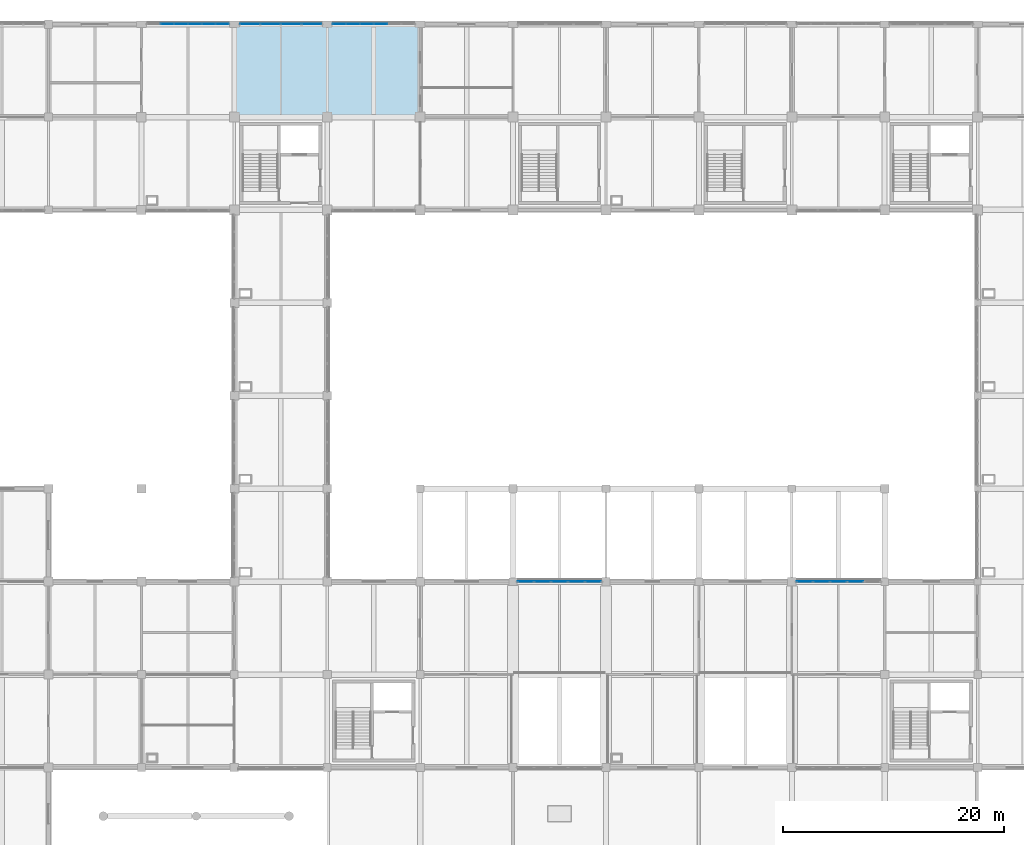
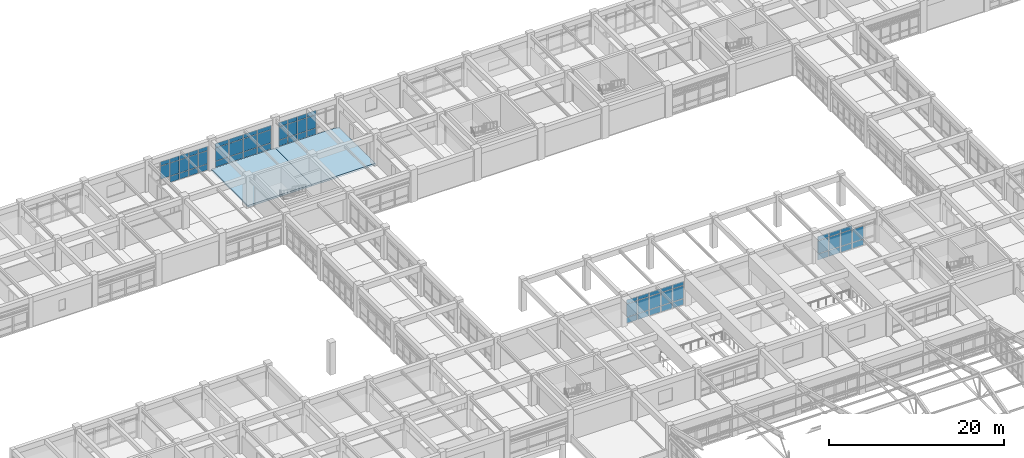
# One storey, part 68 of 99: 64 plates, 2 slabs, 5 elements without a shape of their own.
"""IFC4 building model written with IfcOpenShell, lengths in metres."""

from ifc_helpers import new_model, si_unit, direction, frame, origin, origin_2d, place, context, subcontext, project, spatial, polyline, rectangle, outline, extrude, material, layer, layer_set, type_object, element, aggregate, save


model = new_model("IFC4")

# Units and contexts
model_context = context("Model", 3, precision=1e-05, world=origin(), true_north=direction((0.0, 1.0)))
body_context = subcontext(model_context, "Body", "Model", "MODEL_VIEW")
ifc_project = project(units=[si_unit("LENGTHUNIT", "METRE"), si_unit("AREAUNIT", "SQUARE_METRE"), si_unit("VOLUMEUNIT", "CUBIC_METRE"), si_unit("PLANEANGLEUNIT", "RADIAN"), si_unit("MASSUNIT", "GRAM", prefix="KILO")], contexts=[model_context])

# Site, building, storey
site_placement = place(None, origin())
site = spatial("IfcSite", under=ifc_project, at=site_placement, CompositionType="ELEMENT")
building_placement = place(site_placement, origin())
building = spatial("IfcBuilding", under=site, at=building_placement, Name="Porcellanite Civic Hall", CompositionType="ELEMENT")
storey_placement = place(building_placement, frame((0.0, 0.0, 5.760009765625)))
storey = spatial("IfcBuildingStorey", under=building, at=storey_placement, Name="L01", CompositionType="ELEMENT", Elevation=5.760009765625)

# Curtain wall, plates
ifc_material_1 = material(Name="Anodised aluminium and solar laminated glass", Category="aluminium")
ifc_layer_1 = layer(ifc_material_1, 0.179931640625)
ifc_layer_set_1 = layer_set([ifc_layer_1], Name="Anodised aluminium and solar laminated glass")
curtain_wall_type_1 = type_object("IfcCurtainWallType", Name="CW-SYS01", PredefinedType="NOTDEFINED", material=ifc_layer_set_1)
curtain_wall_1_placement = place(storey_placement, origin())
curtain_wall_1 = element("IfcCurtainWall", 1, at=curtain_wall_1_placement, inside=storey, type_object=curtain_wall_type_1, Name="Curtain wall CW-093", PredefinedType="NOTDEFINED")
ifc_material_2 = material(Name="Cyclone laminated solar-control low-E glass", Category="glass")
ifc_layer_2 = layer(ifc_material_2, 0.02392578125)
ifc_layer_set_2 = layer_set([ifc_layer_2], Name="Cyclone laminated solar-control low-E glass")
plate_type_1 = type_object("IfcPlateType", Name="CWP-01", PredefinedType="CURTAIN_PANEL", material=ifc_layer_set_2)
plate_1_placement = place(storey_placement, frame((76.73828125, 67.199951171875, 0.070068359375), z_axis=(0.0, 0.0, 1.0), x_axis=(1.0, 0.0, 0.0)))
plate_1 = element("IfcPlate", 2, at=plate_1_placement, type_object=plate_type_1, Name="CW-093 panel 1.1", PredefinedType="CURTAIN_PANEL", context=body_context, shape_type="SweptSolid", body=[
    extrude(rectangle(XDim=1.41455078125, YDim=0.02392578125, at=origin_2d()), origin(), (0.0, 0.0, 1.0), 0.794921875),
])
plate_2_placement = place(storey_placement, frame((76.73828125, 67.199951171875, 0.93505859375), z_axis=(0.0, 0.0, 1.0), x_axis=(1.0, 0.0, 0.0)))
plate_2 = element("IfcPlate", 3, at=plate_2_placement, type_object=plate_type_1, Name="CW-093 panel 1.2", PredefinedType="CURTAIN_PANEL", context=body_context, shape_type="SweptSolid", body=[
    extrude(rectangle(XDim=1.41455078125, YDim=0.02392578125, at=origin_2d()), origin(), (0.0, 0.0, 1.0), 1.780029296875),
])
plate_3_placement = place(storey_placement, frame((76.73828125, 67.199951171875, 2.784912109375), z_axis=(0.0, 0.0, 1.0), x_axis=(1.0, 0.0, 0.0)))
plate_3 = element("IfcPlate", 4, at=plate_3_placement, type_object=plate_type_1, Name="CW-093 panel 1.3", PredefinedType="CURTAIN_PANEL", context=body_context, shape_type="SweptSolid", body=[
    extrude(rectangle(XDim=1.41455078125, YDim=0.02392578125, at=origin_2d()), origin(), (0.0, 0.0, 1.0), 0.544921875),
])
plate_4_placement = place(storey_placement, frame((78.2529296875, 67.199951171875, 0.070068359375), z_axis=(0.0, 0.0, 1.0), x_axis=(1.0, 0.0, 0.0)))
plate_4 = element("IfcPlate", 5, at=plate_4_placement, type_object=plate_type_1, Name="CW-093 panel 2.1", PredefinedType="CURTAIN_PANEL", context=body_context, shape_type="SweptSolid", body=[
    extrude(rectangle(XDim=1.45458984375, YDim=0.02392578125, at=origin_2d()), origin(), (0.0, 0.0, 1.0), 0.794921875),
])
plate_5_placement = place(storey_placement, frame((78.2529296875, 67.199951171875, 0.93505859375), z_axis=(0.0, 0.0, 1.0), x_axis=(1.0, 0.0, 0.0)))
plate_5 = element("IfcPlate", 6, at=plate_5_placement, type_object=plate_type_1, Name="CW-093 panel 2.2", PredefinedType="CURTAIN_PANEL", context=body_context, shape_type="SweptSolid", body=[
    extrude(rectangle(XDim=1.45458984375, YDim=0.02392578125, at=origin_2d()), origin(), (0.0, 0.0, 1.0), 1.780029296875),
])
plate_6_placement = place(storey_placement, frame((78.2529296875, 67.199951171875, 2.784912109375), z_axis=(0.0, 0.0, 1.0), x_axis=(1.0, 0.0, 0.0)))
plate_6 = element("IfcPlate", 7, at=plate_6_placement, type_object=plate_type_1, Name="CW-093 panel 2.3", PredefinedType="CURTAIN_PANEL", context=body_context, shape_type="SweptSolid", body=[
    extrude(rectangle(XDim=1.45458984375, YDim=0.02392578125, at=origin_2d()), origin(), (0.0, 0.0, 1.0), 0.544921875),
])
plate_7_placement = place(storey_placement, frame((79.78759765625, 67.199951171875, 0.070068359375), z_axis=(0.0, 0.0, 1.0), x_axis=(1.0, 0.0, 0.0)))
plate_7 = element("IfcPlate", 8, at=plate_7_placement, type_object=plate_type_1, Name="CW-093 panel 3.1", PredefinedType="CURTAIN_PANEL", context=body_context, shape_type="SweptSolid", body=[
    extrude(rectangle(XDim=1.45458984375, YDim=0.02392578125, at=origin_2d()), origin(), (0.0, 0.0, 1.0), 0.794921875),
])
plate_8_placement = place(storey_placement, frame((79.78759765625, 67.199951171875, 0.93505859375), z_axis=(0.0, 0.0, 1.0), x_axis=(1.0, 0.0, 0.0)))
plate_8 = element("IfcPlate", 9, at=plate_8_placement, type_object=plate_type_1, Name="CW-093 panel 3.2", PredefinedType="CURTAIN_PANEL", context=body_context, shape_type="SweptSolid", body=[
    extrude(rectangle(XDim=1.45458984375, YDim=0.02392578125, at=origin_2d()), origin(), (0.0, 0.0, 1.0), 1.780029296875),
])
plate_9_placement = place(storey_placement, frame((79.78759765625, 67.199951171875, 2.784912109375), z_axis=(0.0, 0.0, 1.0), x_axis=(1.0, 0.0, 0.0)))
plate_9 = element("IfcPlate", 10, at=plate_9_placement, type_object=plate_type_1, Name="CW-093 panel 3.3", PredefinedType="CURTAIN_PANEL", context=body_context, shape_type="SweptSolid", body=[
    extrude(rectangle(XDim=1.45458984375, YDim=0.02392578125, at=origin_2d()), origin(), (0.0, 0.0, 1.0), 0.544921875),
])
plate_10_placement = place(storey_placement, frame((81.322021484375, 67.199951171875, 0.070068359375), z_axis=(0.0, 0.0, 1.0), x_axis=(1.0, 0.0, 0.0)))
plate_10 = element("IfcPlate", 11, at=plate_10_placement, type_object=plate_type_1, Name="CW-093 panel 4.1", PredefinedType="CURTAIN_PANEL", context=body_context, shape_type="SweptSolid", body=[
    extrude(rectangle(XDim=1.45458984375, YDim=0.02392578125, at=origin_2d()), origin(), (0.0, 0.0, 1.0), 0.794921875),
])
plate_11_placement = place(storey_placement, frame((81.322021484375, 67.199951171875, 0.93505859375), z_axis=(0.0, 0.0, 1.0), x_axis=(1.0, 0.0, 0.0)))
plate_11 = element("IfcPlate", 12, at=plate_11_placement, type_object=plate_type_1, Name="CW-093 panel 4.2", PredefinedType="CURTAIN_PANEL", context=body_context, shape_type="SweptSolid", body=[
    extrude(rectangle(XDim=1.45458984375, YDim=0.02392578125, at=origin_2d()), origin(), (0.0, 0.0, 1.0), 1.780029296875),
])
plate_12_placement = place(storey_placement, frame((81.322021484375, 67.199951171875, 2.784912109375), z_axis=(0.0, 0.0, 1.0), x_axis=(1.0, 0.0, 0.0)))
plate_12 = element("IfcPlate", 13, at=plate_12_placement, type_object=plate_type_1, Name="CW-093 panel 4.3", PredefinedType="CURTAIN_PANEL", context=body_context, shape_type="SweptSolid", body=[
    extrude(rectangle(XDim=1.45458984375, YDim=0.02392578125, at=origin_2d()), origin(), (0.0, 0.0, 1.0), 0.544921875),
])
plate_13_placement = place(storey_placement, frame((82.836669921875, 67.199951171875, 0.070068359375), z_axis=(0.0, 0.0, 1.0), x_axis=(1.0, 0.0, 0.0)))
plate_13 = element("IfcPlate", 14, at=plate_13_placement, type_object=plate_type_1, Name="CW-093 panel 5.1", PredefinedType="CURTAIN_PANEL", context=body_context, shape_type="SweptSolid", body=[
    extrude(rectangle(XDim=1.41455078125, YDim=0.02392578125, at=origin_2d()), origin(), (0.0, 0.0, 1.0), 0.794921875),
])
plate_14_placement = place(storey_placement, frame((82.836669921875, 67.199951171875, 0.93505859375), z_axis=(0.0, 0.0, 1.0), x_axis=(1.0, 0.0, 0.0)))
plate_14 = element("IfcPlate", 15, at=plate_14_placement, type_object=plate_type_1, Name="CW-093 panel 5.2", PredefinedType="CURTAIN_PANEL", context=body_context, shape_type="SweptSolid", body=[
    extrude(rectangle(XDim=1.41455078125, YDim=0.02392578125, at=origin_2d()), origin(), (0.0, 0.0, 1.0), 1.780029296875),
])
plate_15_placement = place(storey_placement, frame((82.836669921875, 67.199951171875, 2.784912109375), z_axis=(0.0, 0.0, 1.0), x_axis=(1.0, 0.0, 0.0)))
plate_15 = element("IfcPlate", 16, at=plate_15_placement, type_object=plate_type_1, Name="CW-093 panel 5.3", PredefinedType="CURTAIN_PANEL", context=body_context, shape_type="SweptSolid", body=[
    extrude(rectangle(XDim=1.41455078125, YDim=0.02392578125, at=origin_2d()), origin(), (0.0, 0.0, 1.0), 0.544921875),
])
aggregate(curtain_wall_1, [plate_1, plate_2, plate_3, plate_4, plate_5, plate_6, plate_7, plate_8, plate_9, plate_10, plate_11, plate_12, plate_13, plate_14, plate_15])

curtain_wall_2_placement = place(storey_placement, origin())
curtain_wall_2 = element("IfcCurtainWall", 17, at=curtain_wall_2_placement, inside=storey, type_object=curtain_wall_type_1, Name="Curtain wall CW-103", PredefinedType="NOTDEFINED")
plate_16_placement = place(storey_placement, frame((101.96337890625, 67.199951171875, 0.070068359375), z_axis=(0.0, 0.0, 1.0), x_axis=(1.0, 0.0, 0.0)))
plate_16 = element("IfcPlate", 18, at=plate_16_placement, type_object=plate_type_1, Name="CW-103 panel 1.1", PredefinedType="CURTAIN_PANEL", context=body_context, shape_type="SweptSolid", body=[
    extrude(rectangle(XDim=1.41455078125, YDim=0.02392578125, at=origin_2d()), origin(), (0.0, 0.0, 1.0), 0.794921875),
])
plate_17_placement = place(storey_placement, frame((101.96337890625, 67.199951171875, 0.93505859375), z_axis=(0.0, 0.0, 1.0), x_axis=(1.0, 0.0, 0.0)))
plate_17 = element("IfcPlate", 19, at=plate_17_placement, type_object=plate_type_1, Name="CW-103 panel 1.2", PredefinedType="CURTAIN_PANEL", context=body_context, shape_type="SweptSolid", body=[
    extrude(rectangle(XDim=1.41455078125, YDim=0.02392578125, at=origin_2d()), origin(), (0.0, 0.0, 1.0), 1.780029296875),
])
plate_18_placement = place(storey_placement, frame((101.96337890625, 67.199951171875, 2.784912109375), z_axis=(0.0, 0.0, 1.0), x_axis=(1.0, 0.0, 0.0)))
plate_18 = element("IfcPlate", 20, at=plate_18_placement, type_object=plate_type_1, Name="CW-103 panel 1.3", PredefinedType="CURTAIN_PANEL", context=body_context, shape_type="SweptSolid", body=[
    extrude(rectangle(XDim=1.41455078125, YDim=0.02392578125, at=origin_2d()), origin(), (0.0, 0.0, 1.0), 0.544921875),
])
plate_19_placement = place(storey_placement, frame((103.477783203125, 67.199951171875, 0.070068359375), z_axis=(0.0, 0.0, 1.0), x_axis=(1.0, 0.0, 0.0)))
plate_19 = element("IfcPlate", 21, at=plate_19_placement, type_object=plate_type_1, Name="CW-103 panel 2.1", PredefinedType="CURTAIN_PANEL", context=body_context, shape_type="SweptSolid", body=[
    extrude(rectangle(XDim=1.45458984375, YDim=0.02392578125, at=origin_2d()), origin(), (0.0, 0.0, 1.0), 0.794921875),
])
plate_20_placement = place(storey_placement, frame((103.477783203125, 67.199951171875, 0.93505859375), z_axis=(0.0, 0.0, 1.0), x_axis=(1.0, 0.0, 0.0)))
plate_20 = element("IfcPlate", 22, at=plate_20_placement, type_object=plate_type_1, Name="CW-103 panel 2.2", PredefinedType="CURTAIN_PANEL", context=body_context, shape_type="SweptSolid", body=[
    extrude(rectangle(XDim=1.45458984375, YDim=0.02392578125, at=origin_2d()), origin(), (0.0, 0.0, 1.0), 1.780029296875),
])
plate_21_placement = place(storey_placement, frame((103.477783203125, 67.199951171875, 2.784912109375), z_axis=(0.0, 0.0, 1.0), x_axis=(1.0, 0.0, 0.0)))
plate_21 = element("IfcPlate", 23, at=plate_21_placement, type_object=plate_type_1, Name="CW-103 panel 2.3", PredefinedType="CURTAIN_PANEL", context=body_context, shape_type="SweptSolid", body=[
    extrude(rectangle(XDim=1.45458984375, YDim=0.02392578125, at=origin_2d()), origin(), (0.0, 0.0, 1.0), 0.544921875),
])
plate_22_placement = place(storey_placement, frame((105.012451171875, 67.199951171875, 0.070068359375), z_axis=(0.0, 0.0, 1.0), x_axis=(1.0, 0.0, 0.0)))
plate_22 = element("IfcPlate", 24, at=plate_22_placement, type_object=plate_type_1, Name="CW-103 panel 3.1", PredefinedType="CURTAIN_PANEL", context=body_context, shape_type="SweptSolid", body=[
    extrude(rectangle(XDim=1.45458984375, YDim=0.02392578125, at=origin_2d()), origin(), (0.0, 0.0, 1.0), 0.794921875),
])
plate_23_placement = place(storey_placement, frame((105.012451171875, 67.199951171875, 0.93505859375), z_axis=(0.0, 0.0, 1.0), x_axis=(1.0, 0.0, 0.0)))
plate_23 = element("IfcPlate", 25, at=plate_23_placement, type_object=plate_type_1, Name="CW-103 panel 3.2", PredefinedType="CURTAIN_PANEL", context=body_context, shape_type="SweptSolid", body=[
    extrude(rectangle(XDim=1.45458984375, YDim=0.02392578125, at=origin_2d()), origin(), (0.0, 0.0, 1.0), 1.780029296875),
])
plate_24_placement = place(storey_placement, frame((105.012451171875, 67.199951171875, 2.784912109375), z_axis=(0.0, 0.0, 1.0), x_axis=(1.0, 0.0, 0.0)))
plate_24 = element("IfcPlate", 26, at=plate_24_placement, type_object=plate_type_1, Name="CW-103 panel 3.3", PredefinedType="CURTAIN_PANEL", context=body_context, shape_type="SweptSolid", body=[
    extrude(rectangle(XDim=1.45458984375, YDim=0.02392578125, at=origin_2d()), origin(), (0.0, 0.0, 1.0), 0.544921875),
])
plate_25_placement = place(storey_placement, frame((106.547119140625, 67.199951171875, 0.070068359375), z_axis=(0.0, 0.0, 1.0), x_axis=(1.0, 0.0, 0.0)))
plate_25 = element("IfcPlate", 27, at=plate_25_placement, type_object=plate_type_1, Name="CW-103 panel 4.1", PredefinedType="CURTAIN_PANEL", context=body_context, shape_type="SweptSolid", body=[
    extrude(rectangle(XDim=1.45458984375, YDim=0.02392578125, at=origin_2d()), origin(), (0.0, 0.0, 1.0), 0.794921875),
])
plate_26_placement = place(storey_placement, frame((106.547119140625, 67.199951171875, 0.93505859375), z_axis=(0.0, 0.0, 1.0), x_axis=(1.0, 0.0, 0.0)))
plate_26 = element("IfcPlate", 28, at=plate_26_placement, type_object=plate_type_1, Name="CW-103 panel 4.2", PredefinedType="CURTAIN_PANEL", context=body_context, shape_type="SweptSolid", body=[
    extrude(rectangle(XDim=1.45458984375, YDim=0.02392578125, at=origin_2d()), origin(), (0.0, 0.0, 1.0), 1.780029296875),
])
aggregate(curtain_wall_2, [plate_16, plate_17, plate_18, plate_19, plate_20, plate_21, plate_22, plate_23, plate_24, plate_25, plate_26])

ifc_material_3 = material(Name="Anodised aluminium and solar laminated glass", Category="aluminium")
ifc_layer_3 = layer(ifc_material_3, 0.179931640625)
ifc_layer_set_3 = layer_set([ifc_layer_3], Name="Anodised aluminium and solar laminated glass")
curtain_wall_type_2 = type_object("IfcCurtainWallType", Name="CW-SYS07", PredefinedType="NOTDEFINED", material=ifc_layer_set_3)
curtain_wall_3_placement = place(storey_placement, origin())
curtain_wall_3 = element("IfcCurtainWall", 29, at=curtain_wall_3_placement, inside=storey, type_object=curtain_wall_type_2, Name="Curtain wall CW-075", PredefinedType="NOTDEFINED")
ifc_material_4 = material(Name="Cyclone laminated solar-control low-E glass", Category="glass")
ifc_layer_4 = layer(ifc_material_4, 0.033935546875)
ifc_layer_set_4 = layer_set([ifc_layer_4], Name="Cyclone laminated solar-control low-E glass")
plate_type_2 = type_object("IfcPlateType", Name="CWP-06", PredefinedType="CURTAIN_PANEL", material=ifc_layer_set_4)
plate_27_placement = place(storey_placement, frame((44.325439453125, 117.60009765625, 0.9248046875), z_axis=(0.0, 0.0, 1.0), x_axis=(1.0, 0.0, 0.0)))
plate_27 = element("IfcPlate", 30, at=plate_27_placement, type_object=plate_type_2, Name="CW-075 panel 2.2", PredefinedType="CURTAIN_PANEL", context=body_context, shape_type="SweptSolid", body=[
    extrude(rectangle(XDim=1.189697265625, YDim=0.033935546875, at=origin_2d()), origin(), (0.0, 0.0, 1.0), 1.800048828125),
])
plate_28_placement = place(storey_placement, frame((44.325439453125, 117.60009765625, 2.77490234375), z_axis=(0.0, 0.0, 1.0), x_axis=(1.0, 0.0, 0.0)))
plate_28 = element("IfcPlate", 31, at=plate_28_placement, type_object=plate_type_2, Name="CW-075 panel 2.3", PredefinedType="CURTAIN_PANEL", context=body_context, shape_type="SweptSolid", body=[
    extrude(rectangle(XDim=1.189697265625, YDim=0.033935546875, at=origin_2d()), origin(), (0.0, 0.0, 1.0), 0.574951171875),
])
plate_29_placement = place(storey_placement, frame((45.5751953125, 117.60009765625, 0.0498046875), z_axis=(0.0, 0.0, 1.0), x_axis=(1.0, 0.0, 0.0)))
plate_29 = element("IfcPlate", 32, at=plate_29_placement, type_object=plate_type_2, Name="CW-075 panel 3.1", PredefinedType="CURTAIN_PANEL", context=body_context, shape_type="SweptSolid", body=[
    extrude(rectangle(XDim=1.189697265625, YDim=0.033935546875, at=origin_2d()), origin(), (0.0, 0.0, 1.0), 0.824951171875),
])
plate_30_placement = place(storey_placement, frame((45.5751953125, 117.60009765625, 0.9248046875), z_axis=(0.0, 0.0, 1.0), x_axis=(1.0, 0.0, 0.0)))
plate_30 = element("IfcPlate", 33, at=plate_30_placement, type_object=plate_type_2, Name="CW-075 panel 3.2", PredefinedType="CURTAIN_PANEL", context=body_context, shape_type="SweptSolid", body=[
    extrude(rectangle(XDim=1.189697265625, YDim=0.033935546875, at=origin_2d()), origin(), (0.0, 0.0, 1.0), 1.800048828125),
])
plate_31_placement = place(storey_placement, frame((45.5751953125, 117.60009765625, 2.77490234375), z_axis=(0.0, 0.0, 1.0), x_axis=(1.0, 0.0, 0.0)))
plate_31 = element("IfcPlate", 34, at=plate_31_placement, type_object=plate_type_2, Name="CW-075 panel 3.3", PredefinedType="CURTAIN_PANEL", context=body_context, shape_type="SweptSolid", body=[
    extrude(rectangle(XDim=1.189697265625, YDim=0.033935546875, at=origin_2d()), origin(), (0.0, 0.0, 1.0), 0.574951171875),
])
plate_32_placement = place(storey_placement, frame((46.824951171875, 117.60009765625, 0.0498046875), z_axis=(0.0, 0.0, 1.0), x_axis=(1.0, 0.0, 0.0)))
plate_32 = element("IfcPlate", 35, at=plate_32_placement, type_object=plate_type_2, Name="CW-075 panel 4.1", PredefinedType="CURTAIN_PANEL", context=body_context, shape_type="SweptSolid", body=[
    extrude(rectangle(XDim=1.189697265625, YDim=0.033935546875, at=origin_2d()), origin(), (0.0, 0.0, 1.0), 0.824951171875),
])
plate_33_placement = place(storey_placement, frame((46.824951171875, 117.60009765625, 0.9248046875), z_axis=(0.0, 0.0, 1.0), x_axis=(1.0, 0.0, 0.0)))
plate_33 = element("IfcPlate", 36, at=plate_33_placement, type_object=plate_type_2, Name="CW-075 panel 4.2", PredefinedType="CURTAIN_PANEL", context=body_context, shape_type="SweptSolid", body=[
    extrude(rectangle(XDim=1.189697265625, YDim=0.033935546875, at=origin_2d()), origin(), (0.0, 0.0, 1.0), 1.800048828125),
])
plate_34_placement = place(storey_placement, frame((46.824951171875, 117.60009765625, 2.77490234375), z_axis=(0.0, 0.0, 1.0), x_axis=(1.0, 0.0, 0.0)))
plate_34 = element("IfcPlate", 37, at=plate_34_placement, type_object=plate_type_2, Name="CW-075 panel 4.3", PredefinedType="CURTAIN_PANEL", context=body_context, shape_type="SweptSolid", body=[
    extrude(rectangle(XDim=1.189697265625, YDim=0.033935546875, at=origin_2d()), origin(), (0.0, 0.0, 1.0), 0.574951171875),
])
plate_35_placement = place(storey_placement, frame((48.074462890625, 117.60009765625, 0.0498046875), z_axis=(0.0, 0.0, 1.0), x_axis=(1.0, 0.0, 0.0)))
plate_35 = element("IfcPlate", 38, at=plate_35_placement, type_object=plate_type_2, Name="CW-075 panel 5.1", PredefinedType="CURTAIN_PANEL", context=body_context, shape_type="SweptSolid", body=[
    extrude(rectangle(XDim=1.189697265625, YDim=0.033935546875, at=origin_2d()), origin(), (0.0, 0.0, 1.0), 0.824951171875),
])
plate_36_placement = place(storey_placement, frame((48.074462890625, 117.60009765625, 0.9248046875), z_axis=(0.0, 0.0, 1.0), x_axis=(1.0, 0.0, 0.0)))
plate_36 = element("IfcPlate", 39, at=plate_36_placement, type_object=plate_type_2, Name="CW-075 panel 5.2", PredefinedType="CURTAIN_PANEL", context=body_context, shape_type="SweptSolid", body=[
    extrude(rectangle(XDim=1.189697265625, YDim=0.033935546875, at=origin_2d()), origin(), (0.0, 0.0, 1.0), 1.800048828125),
])
plate_37_placement = place(storey_placement, frame((48.074462890625, 117.60009765625, 2.77490234375), z_axis=(0.0, 0.0, 1.0), x_axis=(1.0, 0.0, 0.0)))
plate_37 = element("IfcPlate", 40, at=plate_37_placement, type_object=plate_type_2, Name="CW-075 panel 5.3", PredefinedType="CURTAIN_PANEL", context=body_context, shape_type="SweptSolid", body=[
    extrude(rectangle(XDim=1.189697265625, YDim=0.033935546875, at=origin_2d()), origin(), (0.0, 0.0, 1.0), 0.574951171875),
])
plate_38_placement = place(storey_placement, frame((49.30908203125, 117.60009765625, 0.0498046875), z_axis=(0.0, 0.0, 1.0), x_axis=(1.0, 0.0, 0.0)))
plate_38 = element("IfcPlate", 41, at=plate_38_placement, type_object=plate_type_2, Name="CW-075 panel 6.1", PredefinedType="CURTAIN_PANEL", context=body_context, shape_type="SweptSolid", body=[
    extrude(rectangle(XDim=1.15966796875, YDim=0.033935546875, at=origin_2d()), origin(), (0.0, 0.0, 1.0), 0.824951171875),
])
plate_39_placement = place(storey_placement, frame((49.30908203125, 117.60009765625, 0.9248046875), z_axis=(0.0, 0.0, 1.0), x_axis=(1.0, 0.0, 0.0)))
plate_39 = element("IfcPlate", 42, at=plate_39_placement, type_object=plate_type_2, Name="CW-075 panel 6.2", PredefinedType="CURTAIN_PANEL", context=body_context, shape_type="SweptSolid", body=[
    extrude(rectangle(XDim=1.15966796875, YDim=0.033935546875, at=origin_2d()), origin(), (0.0, 0.0, 1.0), 1.800048828125),
])
plate_40_placement = place(storey_placement, frame((49.30908203125, 117.60009765625, 2.77490234375), z_axis=(0.0, 0.0, 1.0), x_axis=(1.0, 0.0, 0.0)))
plate_40 = element("IfcPlate", 43, at=plate_40_placement, type_object=plate_type_2, Name="CW-075 panel 6.3", PredefinedType="CURTAIN_PANEL", context=body_context, shape_type="SweptSolid", body=[
    extrude(rectangle(XDim=1.15966796875, YDim=0.033935546875, at=origin_2d()), origin(), (0.0, 0.0, 1.0), 0.574951171875),
])
aggregate(curtain_wall_3, [plate_27, plate_28, plate_29, plate_30, plate_31, plate_32, plate_33, plate_34, plate_35, plate_36, plate_37, plate_38, plate_39, plate_40])

ifc_material_5 = material(Name="Anodised aluminium and solar laminated glass", Category="aluminium")
ifc_layer_5 = layer(ifc_material_5, 0.179931640625)
ifc_layer_set_5 = layer_set([ifc_layer_5], Name="Anodised aluminium and solar laminated glass")
curtain_wall_type_3 = type_object("IfcCurtainWallType", Name="CW-SYS04", PredefinedType="NOTDEFINED", material=ifc_layer_set_5)
curtain_wall_4_placement = place(storey_placement, origin())
curtain_wall_4 = element("IfcCurtainWall", 44, at=curtain_wall_4_placement, inside=storey, type_object=curtain_wall_type_3, Name="Curtain wall CW-085", PredefinedType="NOTDEFINED")
plate_41_placement = place(storey_placement, frame((51.806884765625, 117.60009765625, 0.054931640625), z_axis=(0.0, 0.0, 1.0), x_axis=(1.0, 0.0, 0.0)))
plate_41 = element("IfcPlate", 45, at=plate_41_placement, type_object=plate_type_2, Name="CW-085 panel 1.1", PredefinedType="CURTAIN_PANEL", context=body_context, shape_type="SweptSolid", body=[
    extrude(rectangle(XDim=1.761962890625, YDim=0.033935546875, at=origin_2d()), origin(), (0.0, 0.0, 1.0), 0.8173828125),
])
plate_42_placement = place(storey_placement, frame((51.806884765625, 117.60009765625, 0.927490234375), z_axis=(0.0, 0.0, 1.0), x_axis=(1.0, 0.0, 0.0)))
plate_42 = element("IfcPlate", 46, at=plate_42_placement, type_object=plate_type_2, Name="CW-085 panel 1.2", PredefinedType="CURTAIN_PANEL", context=body_context, shape_type="SweptSolid", body=[
    extrude(rectangle(XDim=1.761962890625, YDim=0.033935546875, at=origin_2d()), origin(), (0.0, 0.0, 1.0), 1.794921875),
])
plate_43_placement = place(storey_placement, frame((51.806884765625, 117.60009765625, 2.777587890625), z_axis=(0.0, 0.0, 1.0), x_axis=(1.0, 0.0, 0.0)))
plate_43 = element("IfcPlate", 47, at=plate_43_placement, type_object=plate_type_2, Name="CW-085 panel 1.3", PredefinedType="CURTAIN_PANEL", context=body_context, shape_type="SweptSolid", body=[
    extrude(rectangle(XDim=1.761962890625, YDim=0.033935546875, at=origin_2d()), origin(), (0.0, 0.0, 1.0), 0.5673828125),
])
plate_44_placement = place(storey_placement, frame((53.662841796875, 117.60009765625, 0.054931640625), z_axis=(0.0, 0.0, 1.0), x_axis=(1.0, 0.0, 0.0)))
plate_44 = element("IfcPlate", 48, at=plate_44_placement, type_object=plate_type_2, Name="CW-085 panel 2.1", PredefinedType="CURTAIN_PANEL", context=body_context, shape_type="SweptSolid", body=[
    extrude(rectangle(XDim=1.799560546875, YDim=0.033935546875, at=origin_2d()), origin(), (0.0, 0.0, 1.0), 0.8173828125),
])
plate_45_placement = place(storey_placement, frame((53.662841796875, 117.60009765625, 0.927490234375), z_axis=(0.0, 0.0, 1.0), x_axis=(1.0, 0.0, 0.0)))
plate_45 = element("IfcPlate", 49, at=plate_45_placement, type_object=plate_type_2, Name="CW-085 panel 2.2", PredefinedType="CURTAIN_PANEL", context=body_context, shape_type="SweptSolid", body=[
    extrude(rectangle(XDim=1.799560546875, YDim=0.033935546875, at=origin_2d()), origin(), (0.0, 0.0, 1.0), 1.794921875),
])
plate_46_placement = place(storey_placement, frame((53.662841796875, 117.60009765625, 2.777587890625), z_axis=(0.0, 0.0, 1.0), x_axis=(1.0, 0.0, 0.0)))
plate_46 = element("IfcPlate", 50, at=plate_46_placement, type_object=plate_type_2, Name="CW-085 panel 2.3", PredefinedType="CURTAIN_PANEL", context=body_context, shape_type="SweptSolid", body=[
    extrude(rectangle(XDim=1.799560546875, YDim=0.033935546875, at=origin_2d()), origin(), (0.0, 0.0, 1.0), 0.5673828125),
])
plate_47_placement = place(storey_placement, frame((55.537353515625, 117.60009765625, 0.054931640625), z_axis=(0.0, 0.0, 1.0), x_axis=(1.0, 0.0, 0.0)))
plate_47 = element("IfcPlate", 51, at=plate_47_placement, type_object=plate_type_2, Name="CW-085 panel 3.1", PredefinedType="CURTAIN_PANEL", context=body_context, shape_type="SweptSolid", body=[
    extrude(rectangle(XDim=1.799560546875, YDim=0.033935546875, at=origin_2d()), origin(), (0.0, 0.0, 1.0), 0.8173828125),
])
plate_48_placement = place(storey_placement, frame((55.537353515625, 117.60009765625, 0.927490234375), z_axis=(0.0, 0.0, 1.0), x_axis=(1.0, 0.0, 0.0)))
plate_48 = element("IfcPlate", 52, at=plate_48_placement, type_object=plate_type_2, Name="CW-085 panel 3.2", PredefinedType="CURTAIN_PANEL", context=body_context, shape_type="SweptSolid", body=[
    extrude(rectangle(XDim=1.799560546875, YDim=0.033935546875, at=origin_2d()), origin(), (0.0, 0.0, 1.0), 1.794921875),
])
plate_49_placement = place(storey_placement, frame((55.537353515625, 117.60009765625, 2.777587890625), z_axis=(0.0, 0.0, 1.0), x_axis=(1.0, 0.0, 0.0)))
plate_49 = element("IfcPlate", 53, at=plate_49_placement, type_object=plate_type_2, Name="CW-085 panel 3.3", PredefinedType="CURTAIN_PANEL", context=body_context, shape_type="SweptSolid", body=[
    extrude(rectangle(XDim=1.799560546875, YDim=0.033935546875, at=origin_2d()), origin(), (0.0, 0.0, 1.0), 0.5673828125),
])
plate_50_placement = place(storey_placement, frame((57.39306640625, 117.60009765625, 0.054931640625), z_axis=(0.0, 0.0, 1.0), x_axis=(1.0, 0.0, 0.0)))
plate_50 = element("IfcPlate", 54, at=plate_50_placement, type_object=plate_type_2, Name="CW-085 panel 4.1", PredefinedType="CURTAIN_PANEL", context=body_context, shape_type="SweptSolid", body=[
    extrude(rectangle(XDim=1.761962890625, YDim=0.033935546875, at=origin_2d()), origin(), (0.0, 0.0, 1.0), 0.8173828125),
])
plate_51_placement = place(storey_placement, frame((57.39306640625, 117.60009765625, 0.927490234375), z_axis=(0.0, 0.0, 1.0), x_axis=(1.0, 0.0, 0.0)))
plate_51 = element("IfcPlate", 55, at=plate_51_placement, type_object=plate_type_2, Name="CW-085 panel 4.2", PredefinedType="CURTAIN_PANEL", context=body_context, shape_type="SweptSolid", body=[
    extrude(rectangle(XDim=1.761962890625, YDim=0.033935546875, at=origin_2d()), origin(), (0.0, 0.0, 1.0), 1.794921875),
])
plate_52_placement = place(storey_placement, frame((57.39306640625, 117.60009765625, 2.777587890625), z_axis=(0.0, 0.0, 1.0), x_axis=(1.0, 0.0, 0.0)))
plate_52 = element("IfcPlate", 56, at=plate_52_placement, type_object=plate_type_2, Name="CW-085 panel 4.3", PredefinedType="CURTAIN_PANEL", context=body_context, shape_type="SweptSolid", body=[
    extrude(rectangle(XDim=1.761962890625, YDim=0.033935546875, at=origin_2d()), origin(), (0.0, 0.0, 1.0), 0.5673828125),
])
aggregate(curtain_wall_4, [plate_41, plate_42, plate_43, plate_44, plate_45, plate_46, plate_47, plate_48, plate_49, plate_50, plate_51, plate_52])

curtain_wall_5_placement = place(storey_placement, origin())
curtain_wall_5 = element("IfcCurtainWall", 57, at=curtain_wall_5_placement, inside=storey, type_object=curtain_wall_type_2, Name="Curtain wall CW-087", PredefinedType="NOTDEFINED")
ifc_material_6 = material(Name="Insulated ochre aluminium spandrel panel", Category="aluminium")
ifc_layer_6 = layer(ifc_material_6, 0.0380859375)
ifc_layer_set_6 = layer_set([ifc_layer_6], Name="Insulated ochre aluminium spandrel panel")
plate_type_3 = type_object("IfcPlateType", Name="CWP-08", PredefinedType="CURTAIN_PANEL", material=ifc_layer_set_6)
plate_53_placement = place(storey_placement, frame((59.890869140625, 117.60009765625, 0.0498046875), z_axis=(0.0, 0.0, 1.0), x_axis=(1.0, 0.0, 0.0)))
plate_53 = element("IfcPlate", 58, at=plate_53_placement, type_object=plate_type_3, Name="CW-087 panel 1.1", PredefinedType="CURTAIN_PANEL", context=body_context, shape_type="SweptSolid", body=[
    extrude(rectangle(XDim=1.15966796875, YDim=0.0380859375, at=origin_2d()), origin(), (0.0, 0.0, 1.0), 0.824951171875),
])
plate_54_placement = place(storey_placement, frame((59.890869140625, 117.60009765625, 0.9248046875), z_axis=(0.0, 0.0, 1.0), x_axis=(1.0, 0.0, 0.0)))
plate_54 = element("IfcPlate", 59, at=plate_54_placement, type_object=plate_type_3, Name="CW-087 panel 1.2", PredefinedType="CURTAIN_PANEL", context=body_context, shape_type="SweptSolid", body=[
    extrude(rectangle(XDim=1.15966796875, YDim=0.0380859375, at=origin_2d()), origin(), (0.0, 0.0, 1.0), 1.800048828125),
])
plate_55_placement = place(storey_placement, frame((59.890869140625, 117.60009765625, 2.77490234375), z_axis=(0.0, 0.0, 1.0), x_axis=(1.0, 0.0, 0.0)))
plate_55 = element("IfcPlate", 60, at=plate_55_placement, type_object=plate_type_3, Name="CW-087 panel 1.3", PredefinedType="CURTAIN_PANEL", context=body_context, shape_type="SweptSolid", body=[
    extrude(rectangle(XDim=1.15966796875, YDim=0.0380859375, at=origin_2d()), origin(), (0.0, 0.0, 1.0), 0.574951171875),
])
plate_56_placement = place(storey_placement, frame((61.12548828125, 117.60009765625, 0.0498046875), z_axis=(0.0, 0.0, 1.0), x_axis=(1.0, 0.0, 0.0)))
plate_56 = element("IfcPlate", 61, at=plate_56_placement, type_object=plate_type_3, Name="CW-087 panel 2.1", PredefinedType="CURTAIN_PANEL", context=body_context, shape_type="SweptSolid", body=[
    extrude(rectangle(XDim=1.189697265625, YDim=0.0380859375, at=origin_2d()), origin(), (0.0, 0.0, 1.0), 0.824951171875),
])
plate_57_placement = place(storey_placement, frame((61.12548828125, 117.60009765625, 0.9248046875), z_axis=(0.0, 0.0, 1.0), x_axis=(1.0, 0.0, 0.0)))
plate_57 = element("IfcPlate", 62, at=plate_57_placement, type_object=plate_type_3, Name="CW-087 panel 2.2", PredefinedType="CURTAIN_PANEL", context=body_context, shape_type="SweptSolid", body=[
    extrude(rectangle(XDim=1.189697265625, YDim=0.0380859375, at=origin_2d()), origin(), (0.0, 0.0, 1.0), 1.800048828125),
])
plate_58_placement = place(storey_placement, frame((61.12548828125, 117.60009765625, 2.77490234375), z_axis=(0.0, 0.0, 1.0), x_axis=(1.0, 0.0, 0.0)))
plate_58 = element("IfcPlate", 63, at=plate_58_placement, type_object=plate_type_3, Name="CW-087 panel 2.3", PredefinedType="CURTAIN_PANEL", context=body_context, shape_type="SweptSolid", body=[
    extrude(rectangle(XDim=1.189697265625, YDim=0.0380859375, at=origin_2d()), origin(), (0.0, 0.0, 1.0), 0.574951171875),
])
plate_59_placement = place(storey_placement, frame((62.375244140625, 117.60009765625, 0.0498046875), z_axis=(0.0, 0.0, 1.0), x_axis=(1.0, 0.0, 0.0)))
plate_59 = element("IfcPlate", 64, at=plate_59_placement, type_object=plate_type_3, Name="CW-087 panel 3.1", PredefinedType="CURTAIN_PANEL", context=body_context, shape_type="SweptSolid", body=[
    extrude(rectangle(XDim=1.189697265625, YDim=0.0380859375, at=origin_2d()), origin(), (0.0, 0.0, 1.0), 0.824951171875),
])
plate_60_placement = place(storey_placement, frame((62.375244140625, 117.60009765625, 0.9248046875), z_axis=(0.0, 0.0, 1.0), x_axis=(1.0, 0.0, 0.0)))
plate_60 = element("IfcPlate", 65, at=plate_60_placement, type_object=plate_type_3, Name="CW-087 panel 3.2", PredefinedType="CURTAIN_PANEL", context=body_context, shape_type="SweptSolid", body=[
    extrude(rectangle(XDim=1.189697265625, YDim=0.0380859375, at=origin_2d()), origin(), (0.0, 0.0, 1.0), 1.800048828125),
])
plate_61_placement = place(storey_placement, frame((62.375244140625, 117.60009765625, 2.77490234375), z_axis=(0.0, 0.0, 1.0), x_axis=(1.0, 0.0, 0.0)))
plate_61 = element("IfcPlate", 66, at=plate_61_placement, type_object=plate_type_3, Name="CW-087 panel 3.3", PredefinedType="CURTAIN_PANEL", context=body_context, shape_type="SweptSolid", body=[
    extrude(rectangle(XDim=1.189697265625, YDim=0.0380859375, at=origin_2d()), origin(), (0.0, 0.0, 1.0), 0.574951171875),
])
plate_62_placement = place(storey_placement, frame((63.624755859375, 117.60009765625, 0.0498046875), z_axis=(0.0, 0.0, 1.0), x_axis=(1.0, 0.0, 0.0)))
plate_62 = element("IfcPlate", 67, at=plate_62_placement, type_object=plate_type_3, Name="CW-087 panel 4.1", PredefinedType="CURTAIN_PANEL", context=body_context, shape_type="SweptSolid", body=[
    extrude(rectangle(XDim=1.189697265625, YDim=0.0380859375, at=origin_2d()), origin(), (0.0, 0.0, 1.0), 0.824951171875),
])
plate_63_placement = place(storey_placement, frame((63.624755859375, 117.60009765625, 0.9248046875), z_axis=(0.0, 0.0, 1.0), x_axis=(1.0, 0.0, 0.0)))
plate_63 = element("IfcPlate", 68, at=plate_63_placement, type_object=plate_type_3, Name="CW-087 panel 4.2", PredefinedType="CURTAIN_PANEL", context=body_context, shape_type="SweptSolid", body=[
    extrude(rectangle(XDim=1.189697265625, YDim=0.0380859375, at=origin_2d()), origin(), (0.0, 0.0, 1.0), 1.800048828125),
])
plate_64_placement = place(storey_placement, frame((63.624755859375, 117.60009765625, 2.77490234375), z_axis=(0.0, 0.0, 1.0), x_axis=(1.0, 0.0, 0.0)))
plate_64 = element("IfcPlate", 69, at=plate_64_placement, type_object=plate_type_3, Name="CW-087 panel 4.3", PredefinedType="CURTAIN_PANEL", context=body_context, shape_type="SweptSolid", body=[
    extrude(rectangle(XDim=1.189697265625, YDim=0.0380859375, at=origin_2d()), origin(), (0.0, 0.0, 1.0), 0.574951171875),
])
aggregate(curtain_wall_5, [plate_53, plate_54, plate_55, plate_56, plate_57, plate_58, plate_59, plate_60, plate_61, plate_62, plate_63, plate_64])

# Slabs
ifc_material_7 = material(Name="Concrete N40 (40 MPa)", Category="concrete")
ifc_layer_7 = layer(ifc_material_7, 0.25)
ifc_layer_set_7 = layer_set([ifc_layer_7], Name="Concrete N40 (40 MPa)")
slab_type = type_object("IfcSlabType", Name="SL-FL250", PredefinedType="FLOOR", material=ifc_layer_set_7)
slab_1_placement = place(storey_placement, frame((0.0, 0.0, -0.25)))
element("IfcSlab", 70, at=slab_1_placement, inside=storey, type_object=slab_type, Name="Slab L01 bay 7-14", PredefinedType="FLOOR", context=body_context, shape_type="SweptSolid", body=[
    extrude(outline(polyline([(50.39990234375, 109.199951171875), (58.800048828125, 109.199951171875), (58.800048828125, 117.60009765625), (50.39990234375, 117.60009765625), (50.39990234375, 109.199951171875)])), origin(), (0.0, 0.0, 1.0), 0.25),
])
slab_2_placement = place(storey_placement, frame((0.0, 0.0, -0.25)))
element("IfcSlab", 71, at=slab_2_placement, inside=storey, type_object=slab_type, Name="Slab L01 bay 8-14", PredefinedType="FLOOR", context=body_context, shape_type="SweptSolid", body=[
    extrude(outline(polyline([(58.800048828125, 109.199951171875), (67.199951171875, 109.199951171875), (67.199951171875, 117.60009765625), (58.800048828125, 117.60009765625), (58.800048828125, 109.199951171875)])), origin(), (0.0, 0.0, 1.0), 0.25),
])

save(model, "model.ifc")
